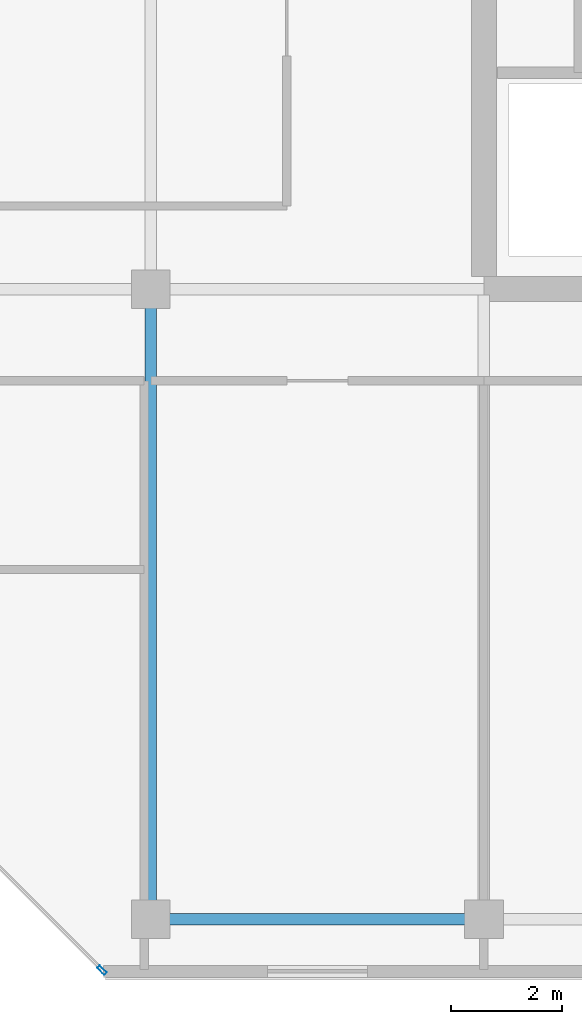
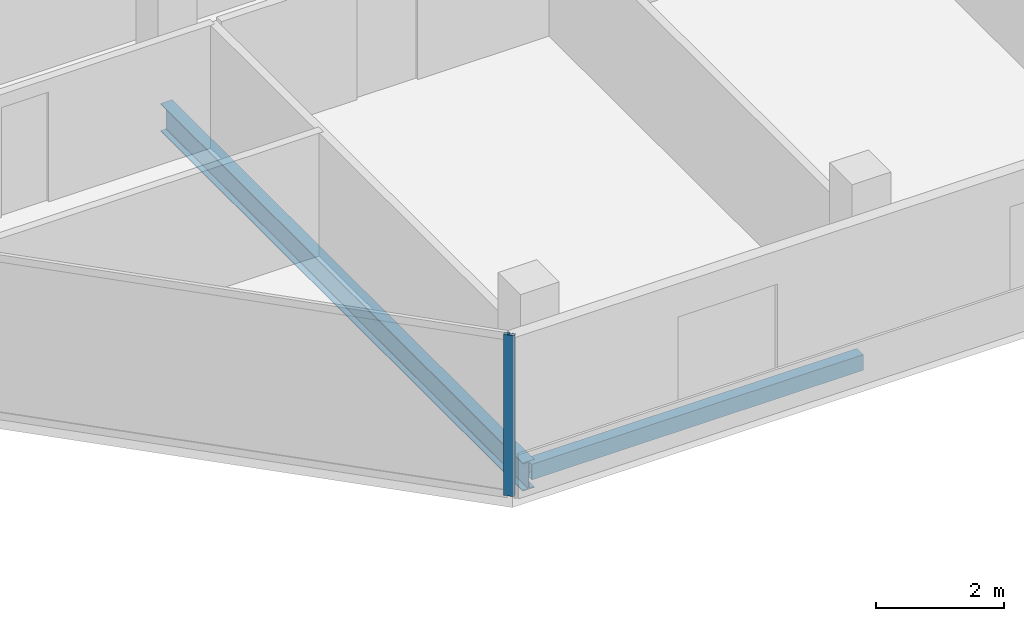
# One storey, part 10 of 29: 2 beams, 1 member, 1 element without a shape of its own.
"""IFC4 building model written with IfcOpenShell, lengths in metres."""

from ifc_helpers import new_model, si_unit, direction, frame, origin, origin_2d, place, context, subcontext, project, spatial, hollow_rectangle, i_section, extrude, material, layer, layer_set, material_profile, profile_set, type_object, element, aggregate, save


model = new_model("IFC4")

# Units and contexts
model_context = context("Model", 3, precision=1e-05, world=origin(), true_north=direction((0.0, 1.0)))
body_context = subcontext(model_context, "Body", "Model", "MODEL_VIEW")
ifc_project = project(units=[si_unit("LENGTHUNIT", "METRE"), si_unit("AREAUNIT", "SQUARE_METRE"), si_unit("VOLUMEUNIT", "CUBIC_METRE"), si_unit("PLANEANGLEUNIT", "RADIAN"), si_unit("MASSUNIT", "GRAM", prefix="KILO")], contexts=[model_context])

# Site, building, storey
site_placement = place(None, origin())
site = spatial("IfcSite", under=ifc_project, at=site_placement, CompositionType="ELEMENT")
building_placement = place(site_placement, origin())
building = spatial("IfcBuilding", under=site, at=building_placement, Name="Tanjung Sevakor Pilgrim Tower", CompositionType="ELEMENT")
storey_placement = place(building_placement, frame((0.0, 0.0, 232.64990234375)))
storey = spatial("IfcBuildingStorey", under=building, at=storey_placement, Name="L65", CompositionType="ELEMENT", Elevation=232.64990234375)

# Beams
ifc_material_1 = material(Name="Steel S355J2", Category="steel")
ifc_material_profile_1 = material_profile(ifc_material_1, i_section(OverallWidth=0.210693359375, OverallDepth=0.53955078125, WebThickness=0.01171875, FlangeThickness=0.018798828125, FilletRadius=0.0126953125, at=origin_2d()))
ifc_profile_set_1 = profile_set([ifc_material_profile_1], Name="Steel S355J2")
beam_type_1 = type_object("IfcBeamType", Name="BM-B-G6-UB_533x210x109", PredefinedType="BEAM", material=ifc_profile_set_1)
beam_1_placement = place(storey_placement, frame((72.0, 13.25, -0.489501953125), z_axis=(0.0, 1.0, 0.0), x_axis=(-1.0, 0.0, 0.0)))
element("IfcBeam", 1, at=beam_1_placement, inside=storey, type_object=beam_type_1, Name="L65 EAST Girder 002", PredefinedType="BEAM", context=body_context, shape_type="SweptSolid", body=[
    extrude(i_section(OverallWidth=0.210693359375, OverallDepth=0.53955078125, WebThickness=0.01171875, FlangeThickness=0.018798828125, FilletRadius=0.0126953125, at=origin_2d()), origin(), (0.0, 0.0, 1.0), 11.35009765625),
])
ifc_material_2 = material(Name="Steel S355J2", Category="steel")
ifc_material_profile_2 = material_profile(ifc_material_2, hollow_rectangle(XDim=0.199951171875, YDim=0.300048828125, WallThickness=0.012451171875, at=origin_2d()))
ifc_profile_set_2 = profile_set([ifc_material_profile_2], Name="Steel S355J2")
beam_type_2 = type_object("IfcBeamType", Name="BM-B-SP3-RHS_300x200x12.5", PredefinedType="SPANDREL", material=ifc_profile_set_2)
beam_2_placement = place(storey_placement, frame((72.0, 13.25, -0.369873046875), z_axis=(1.0, 0.0, 0.0), x_axis=(0.0, 1.0, 0.0)))
element("IfcBeam", 2, at=beam_2_placement, inside=storey, type_object=beam_type_2, Name="L65 Spandrel EAST S-01", PredefinedType="SPANDREL", context=body_context, shape_type="SweptSolid", body=[
    extrude(hollow_rectangle(XDim=0.199951171875, YDim=0.300048828125, WallThickness=0.012451171875, at=origin_2d()), origin(), (0.0, 0.0, 1.0), 6.0),
])

# Curtain wall, member
ifc_material_3 = material(Name="Aluminium 6063-T6 and Low-E Glass", Category="aluminium")
ifc_layer = layer(ifc_material_3, 0.179931640625)
ifc_layer_set = layer_set([ifc_layer], Name="CW-SYS-CHAM")
curtain_wall_type = type_object("IfcCurtainWallType", Name="CW-SYS-CHAM", PredefinedType="NOTDEFINED", material=ifc_layer_set)
curtain_wall_placement = place(storey_placement, origin())
curtain_wall = element("IfcCurtainWall", 3, at=curtain_wall_placement, inside=storey, type_object=curtain_wall_type, Name="L65 Curtain Wall CW-CHM-L65-EAST-7", PredefinedType="NOTDEFINED")
ifc_material_4 = material(Name="Aluminium 6063-T6", Category="aluminium")
ifc_material_profile_3 = material_profile(ifc_material_4, hollow_rectangle(XDim=0.06494140625, YDim=0.179931640625, WallThickness=0.00390625, at=origin_2d()))
ifc_profile_set_3 = profile_set([ifc_material_profile_3], Name="Aluminium 6063-T6")
member_type = type_object("IfcMemberType", Name="TYPE-CWM-1", PredefinedType="MULLION", material=ifc_profile_set_3)
member_placement = place(storey_placement, frame((71.12255859375, 12.3330078125, 0.0), z_axis=(0.0, 0.0, 1.0), x_axis=(0.707106781187, 0.707106781187, 0.0)))
member = element("IfcMember", 4, at=member_placement, type_object=member_type, Name="CW-CHM mullion 2", PredefinedType="MULLION", context=body_context, shape_type="SweptSolid", body=[
    extrude(hollow_rectangle(XDim=0.06494140625, YDim=0.179931640625, WallThickness=0.00390625, at=origin_2d()), origin(), (0.0, 0.0, 1.0), 3.080078125),
])
aggregate(curtain_wall, [member])

save(model, "model.ifc")
